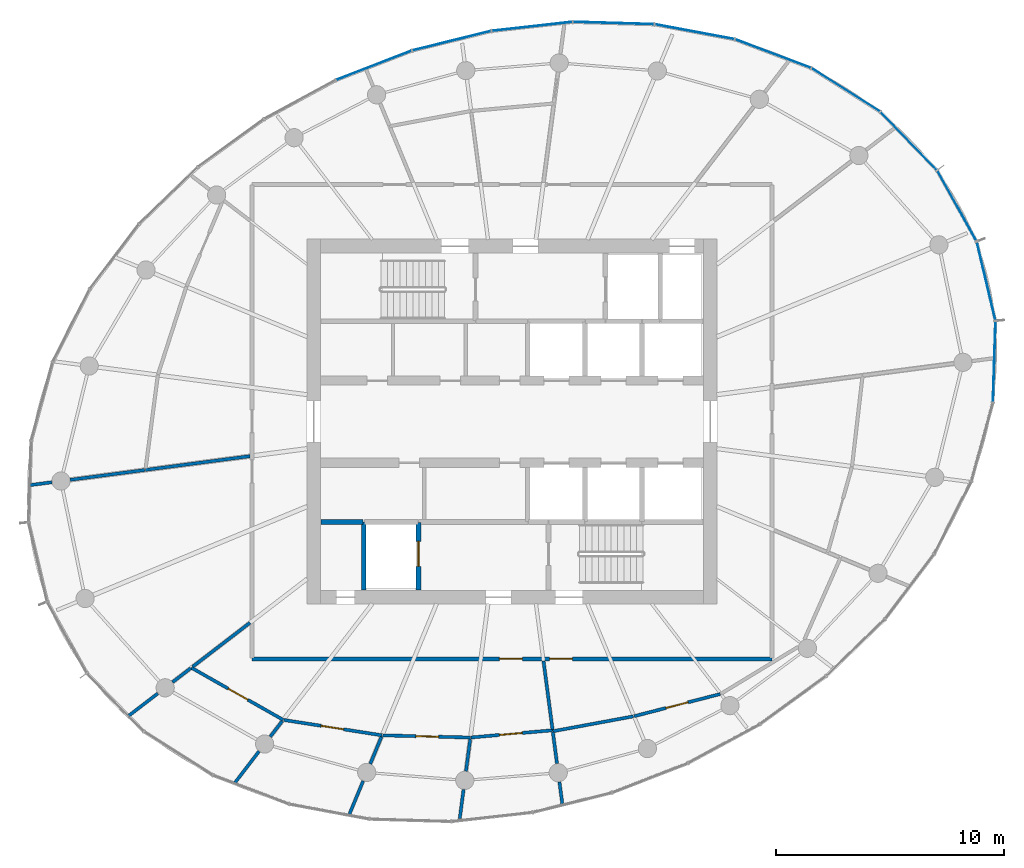
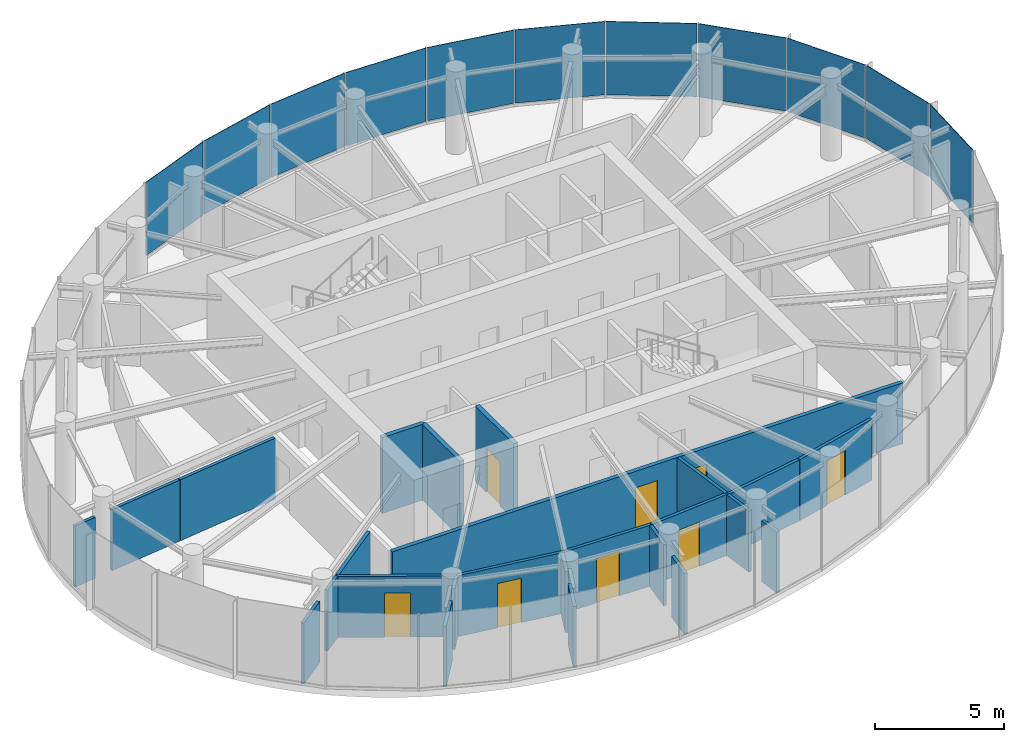
# One storey, part 8 of 13: 25 walls, 11 plates, 8 doors, 8 openings, 3 elements without a shape of their own.
"""IFC4 building model written with IfcOpenShell, lengths in metres."""

from ifc_helpers import new_model, si_unit, direction, frame, frame_2d, origin, origin_2d, place, context, subcontext, project, spatial, rectangle, extrude, source, transform, mapped, material, layer, layer_set, type_object, element, fill, aggregate, save


model = new_model("IFC4")

# Units and contexts
model_context = context("Model", 3, precision=1e-05, world=origin(), true_north=direction((0.0, 1.0)))
body_context = subcontext(model_context, "Body", "Model", "MODEL_VIEW")
ifc_project = project(units=[si_unit("LENGTHUNIT", "METRE"), si_unit("AREAUNIT", "SQUARE_METRE"), si_unit("VOLUMEUNIT", "CUBIC_METRE"), si_unit("PLANEANGLEUNIT", "RADIAN"), si_unit("MASSUNIT", "GRAM", prefix="KILO")], contexts=[model_context])

# Site, building, storey
site_placement = place(None, origin())
site = spatial("IfcSite", under=ifc_project, at=site_placement, CompositionType="ELEMENT")
building_placement = place(site_placement, origin())
building = spatial("IfcBuilding", under=site, at=building_placement, Name="Spindrift Exchange Tower", CompositionType="ELEMENT")
storey_placement = place(building_placement, frame((0.0, 0.0, 242.300048828125)))
storey = spatial("IfcBuildingStorey", under=building, at=storey_placement, Name="L59", CompositionType="ELEMENT", Elevation=242.300048828125)

# Curtain wall, plate
ifc_material_1 = material(Name="Fritted laminated glass with bronze frame", Category="glass")
ifc_layer_1 = layer(ifc_material_1, 0.159912109375)
ifc_layer_set_1 = layer_set([ifc_layer_1], Name="ZONE 5 BRONZE FRITTED WALL")
curtain_wall_type = type_object("IfcCurtainWallType", Name="ZONE 5 BRONZE FRITTED WALL", PredefinedType="NOTDEFINED", material=ifc_layer_set_1)
curtain_wall_1_placement = place(storey_placement, origin())
curtain_wall_1 = element("IfcCurtainWall", 1, at=curtain_wall_1_placement, inside=storey, type_object=curtain_wall_type, Name="L59 Zone 5 Bronze Fritted Wall run 2", PredefinedType="NOTDEFINED")
ifc_material_2 = material(Name="Bronze fritted laminated glass, open frit", Category="glass")
ifc_layer_2 = layer(ifc_material_2, 0.028076171875)
ifc_layer_set_2 = layer_set([ifc_layer_2], Name="ZONE 5 BRONZE FRITTED WALL PANEL OPEN FRIT 480")
plate_type_1 = type_object("IfcPlateType", Name="ZONE 5 BRONZE FRITTED WALL PANEL OPEN FRIT 480", PredefinedType="CURTAIN_PANEL", material=ifc_layer_set_2)
shared_shape_1 = source(origin(), body_context, "Body", "SweptSolid", [
    extrude(rectangle(XDim=3.526123046875, YDim=0.028076171875, at=origin_2d()), origin(), (0.0, 0.0, 1.0), 3.4599609375),
])
plate_1_placement = place(storey_placement, frame((49.357666015625, 64.70458984375, 0.119873046875), z_axis=(0.0, 0.0, 1.0), x_axis=(-0.970738279986, -0.240139942055, 0.0)))
plate_1 = element("IfcPlate", 2, at=plate_1_placement, type_object=plate_type_1, Name="L59 panel CW-5.8", PredefinedType="CURTAIN_PANEL", context=body_context, shape_type="MappedRepresentation", body=[
    mapped(shared_shape_1, transform((0.0, 0.0, 0.0), scale=1.0)),
])

# Curtain wall, plates
curtain_wall_2_placement = place(storey_placement, origin())
curtain_wall_2 = element("IfcCurtainWall", 3, at=curtain_wall_2_placement, inside=storey, type_object=curtain_wall_type, Name="L59 Zone 5 Bronze Fritted Wall run 1", PredefinedType="NOTDEFINED")
ifc_layer_3 = layer(ifc_material_2, 0.028076171875)
ifc_layer_set_3 = layer_set([ifc_layer_3], Name="ZONE 5 BRONZE FRITTED WALL PANEL OPEN FRIT 600")
plate_type_2 = type_object("IfcPlateType", Name="ZONE 5 BRONZE FRITTED WALL PANEL OPEN FRIT 600", PredefinedType="CURTAIN_PANEL", material=ifc_layer_set_3)
shared_shape_2 = source(origin(), body_context, "Body", "SweptSolid", [
    extrude(rectangle(XDim=3.525390625, YDim=0.028076171875, at=origin_2d()), origin(), (0.0, 0.0, 1.0), 3.4599609375),
])
plate_2_placement = place(storey_placement, frame((56.4541015625, 65.47998046875, 0.119873046875), z_axis=(0.0, 0.0, 1.0), x_axis=(-0.999567849035, 0.029395836038, 0.0)))
plate_2 = element("IfcPlate", 4, at=plate_2_placement, type_object=plate_type_2, Name="L59 panel CW-5.6", PredefinedType="CURTAIN_PANEL", context=body_context, shape_type="MappedRepresentation", body=[
    mapped(shared_shape_2, transform((0.0, 0.0, 0.0), scale=1.0)),
])
shared_shape_3 = source(origin(), body_context, "Body", "SweptSolid", [
    extrude(rectangle(XDim=3.5234375, YDim=0.028076171875, at=origin_2d()), origin(), (0.0, 0.0, 1.0), 3.4599609375),
])
plate_3_placement = place(storey_placement, frame((63.44677734375, 64.138427734375, 0.119873046875), z_axis=(0.0, 0.0, 1.0), x_axis=(-0.935776142119, 0.35259468493, 0.0)))
plate_3 = element("IfcPlate", 5, at=plate_3_placement, type_object=plate_type_1, Name="L59 panel CW-5.4", PredefinedType="CURTAIN_PANEL", context=body_context, shape_type="MappedRepresentation", body=[
    mapped(shared_shape_3, transform((0.0, 0.0, 0.0), scale=1.0)),
])
ifc_layer_4 = layer(ifc_material_2, 0.028076171875)
ifc_layer_set_4 = layer_set([ifc_layer_4], Name="ZONE 5 BRONZE FRITTED WALL PANEL OPEN FRIT 360")
plate_type_3 = type_object("IfcPlateType", Name="ZONE 5 BRONZE FRITTED WALL PANEL OPEN FRIT 360", PredefinedType="CURTAIN_PANEL", material=ifc_layer_set_4)
shared_shape_4 = source(origin(), body_context, "Body", "SweptSolid", [
    extrude(rectangle(XDim=3.521484375, YDim=0.028076171875, at=origin_2d()), origin(), (0.0, 0.0, 1.0), 3.4599609375),
])
plate_4_placement = place(storey_placement, frame((66.63671875, 62.54931640625, 0.119873046875), z_axis=(0.0, 0.0, 1.0), x_axis=(-0.845097652087, 0.534611969971, 0.0)))
plate_4 = element("IfcPlate", 6, at=plate_4_placement, type_object=plate_type_3, Name="L59 panel CW-5.3", PredefinedType="CURTAIN_PANEL", context=body_context, shape_type="MappedRepresentation", body=[
    mapped(shared_shape_4, transform((0.0, 0.0, 0.0), scale=1.0)),
])

curtain_wall_3_placement = place(storey_placement, origin())
curtain_wall_3 = element("IfcCurtainWall", 7, at=curtain_wall_3_placement, inside=storey, type_object=curtain_wall_type, Name="L59 Zone 5 Bronze Fritted Wall run 6", PredefinedType="NOTDEFINED")
shared_shape_5 = source(origin(), body_context, "Body", "SweptSolid", [
    extrude(rectangle(XDim=3.519287109375, YDim=0.028076171875, at=origin_2d()), origin(), (0.0, 0.0, 1.0), 3.4599609375),
])
plate_5_placement = place(storey_placement, frame((73.148681640625, 50.627685546875, 0.119873046875), z_axis=(0.0, 0.0, 1.0), x_axis=(0.031738717372, 0.999496200003, 0.0)))
plate_5 = element("IfcPlate", 8, at=plate_5_placement, type_object=plate_type_2, Name="L59 panel CW-5.33", PredefinedType="CURTAIN_PANEL", context=body_context, shape_type="MappedRepresentation", body=[
    mapped(shared_shape_5, transform((0.0, 0.0, 0.0), scale=1.0)),
])
shared_shape_6 = source(origin(), body_context, "Body", "SweptSolid", [
    extrude(rectangle(XDim=3.517578125, YDim=0.028076171875, at=origin_2d()), origin(), (0.0, 0.0, 1.0), 3.4599609375),
])
plate_6_placement = place(storey_placement, frame((72.7939453125, 54.157470703125, 0.119873046875), z_axis=(0.0, 0.0, 1.0), x_axis=(-0.229959714774, 0.973200148778, 0.0)))
plate_6 = element("IfcPlate", 9, at=plate_6_placement, type_object=plate_type_1, Name="L59 panel CW-5.34", PredefinedType="CURTAIN_PANEL", context=body_context, shape_type="MappedRepresentation", body=[
    mapped(shared_shape_6, transform((0.0, 0.0, 0.0), scale=1.0)),
])
aggregate(curtain_wall_3, [plate_5, plate_6])

# Plate
shared_shape_7 = source(origin(), body_context, "Body", "SweptSolid", [
    extrude(rectangle(XDim=3.524658203125, YDim=0.028076171875, at=origin_2d()), origin(), (0.0, 0.0, 1.0), 3.4599609375),
])
plate_7_placement = place(storey_placement, frame((60.00830078125, 65.098876953125, 0.119873046875), z_axis=(0.0, 0.0, 1.0), x_axis=(-0.983050095199, 0.183337149342, 0.0)))
plate_7 = element("IfcPlate", 10, at=plate_7_placement, type_object=plate_type_2, Name="L59 panel CW-5.5", PredefinedType="CURTAIN_PANEL", context=body_context, shape_type="MappedRepresentation", body=[
    mapped(shared_shape_7, transform((0.0, 0.0, 0.0), scale=1.0)),
])

shared_shape_8 = source(origin(), body_context, "Body", "SweptSolid", [
    extrude(rectangle(XDim=3.5263671875, YDim=0.028076171875, at=origin_2d()), origin(), (0.0, 0.0, 1.0), 3.4599609375),
])
plate_8_placement = place(storey_placement, frame((45.94482421875, 63.626220703125, 0.119873046875), z_axis=(0.0, 0.0, 1.0), x_axis=(-0.932444930423, -0.361312125079, 0.0)))
plate_8 = element("IfcPlate", 11, at=plate_8_placement, type_object=plate_type_1, Name="L59 panel CW-5.9", PredefinedType="CURTAIN_PANEL", context=body_context, shape_type="MappedRepresentation", body=[
    mapped(shared_shape_8, transform((0.0, 0.0, 0.0), scale=1.0)),
])

shared_shape_9 = source(origin(), body_context, "Body", "SweptSolid", [
    extrude(rectangle(XDim=3.517578125, YDim=0.028076171875, at=origin_2d()), origin(), (0.0, 0.0, 1.0), 3.4599609375),
])
plate_9_placement = place(storey_placement, frame((71.513671875, 57.461669921875, 0.119873046875), z_axis=(0.0, 0.0, 1.0), x_axis=(-0.485842721639, 0.87404625154, 0.0)))
plate_9 = element("IfcPlate", 12, at=plate_9_placement, type_object=plate_type_3, Name="L59 panel CW-5.1", PredefinedType="CURTAIN_PANEL", context=body_context, shape_type="MappedRepresentation", body=[
    mapped(shared_shape_9, transform((0.0, 0.0, 0.0), scale=1.0)),
])

shared_shape_10 = source(origin(), body_context, "Body", "SweptSolid", [
    extrude(rectangle(XDim=3.519287109375, YDim=0.028076171875, at=origin_2d()), origin(), (0.0, 0.0, 1.0), 3.4599609375),
])
plate_10_placement = place(storey_placement, frame((69.397216796875, 60.30859375, 0.119873046875), z_axis=(0.0, 0.0, 1.0), x_axis=(-0.696921069697, 0.717147838742, 0.0)))
plate_10 = element("IfcPlate", 13, at=plate_10_placement, type_object=plate_type_1, Name="L59 panel CW-5.2", PredefinedType="CURTAIN_PANEL", context=body_context, shape_type="MappedRepresentation", body=[
    mapped(shared_shape_10, transform((0.0, 0.0, 0.0), scale=1.0)),
])

aggregate(curtain_wall_2, [plate_9, plate_10, plate_4, plate_3, plate_7, plate_2])

shared_shape_11 = source(origin(), body_context, "Body", "SweptSolid", [
    extrude(rectangle(XDim=3.52587890625, YDim=0.028076171875, at=origin_2d()), origin(), (0.0, 0.0, 1.0), 3.4599609375),
])
plate_11_placement = place(storey_placement, frame((52.88037109375, 65.333984375, 0.119873046875), z_axis=(0.0, 0.0, 1.0), x_axis=(-0.993837374063, -0.110847976593, 0.0)))
plate_11 = element("IfcPlate", 14, at=plate_11_placement, type_object=plate_type_2, Name="L59 panel CW-5.7", PredefinedType="CURTAIN_PANEL", context=body_context, shape_type="MappedRepresentation", body=[
    mapped(shared_shape_11, transform((0.0, 0.0, 0.0), scale=1.0)),
])

aggregate(curtain_wall_1, [plate_11, plate_1, plate_8])

# Wall, openings, doors
ifc_material_3 = material(Name="Fire-rated plasterboard partition", Category="gypsum")
ifc_layer_5 = layer(ifc_material_3, 0.179931640625)
ifc_layer_set_5 = layer_set([ifc_layer_5], Name="W-CORR-180")
wall_type_1 = type_object("IfcWallType", Name="W-CORR-180", PredefinedType="PARTITIONING", material=ifc_layer_set_5)
wall_1_placement = place(storey_placement, frame((63.39990234375, 37.60009765625, 0.0), z_axis=(0.0, 0.0, 1.0), x_axis=(-1.0, 0.0, 0.0)))
wall_1 = element("IfcWall", 15, at=wall_1_placement, inside=storey, type_object=wall_type_1, Name="L59 Partition wall 28", PredefinedType="PARTITIONING", context=body_context, shape_type="SweptSolid", body=[
    extrude(rectangle(XDim=22.7998046875, YDim=0.179931640625, at=frame_2d((11.39990234375, 0.0))), origin(), (0.0, 0.0, 1.0), 2.8798828125),
])
opening_1_placement = place(wall_1_placement, frame((10.949951171875, 0.0, 0.0)))
opening_1 = element("IfcOpeningElement", 16, at=opening_1_placement, cuts=wall_1, Name="Opening L59-D25", PredefinedType="OPENING", context=body_context, shape_type="SweptSolid", body=[
    extrude(rectangle(XDim=1.0, YDim=2.10009765625, at=frame_2d((0.5, 1.050048828125))), frame((0.0, 0.099853515625, 0.0), z_axis=(0.0, -1.0, 0.0), x_axis=(1.0, 0.0, 0.0)), (0.0, 0.0, 1.0), 0.199951171875),
])
opening_2_placement = place(wall_1_placement, frame((8.75, 0.0, 0.0)))
opening_2 = element("IfcOpeningElement", 17, at=opening_2_placement, cuts=wall_1, Name="Opening L59-D30", PredefinedType="OPENING", context=body_context, shape_type="SweptSolid", body=[
    extrude(rectangle(XDim=1.0, YDim=2.10009765625, at=frame_2d((0.5, 1.050048828125))), frame((0.0, 0.099853515625, 0.0), z_axis=(0.0, -1.0, 0.0), x_axis=(1.0, 0.0, 0.0)), (0.0, 0.0, 1.0), 0.199951171875),
])
ifc_material_4 = material(Name="Timber-core fire door", Category="wood")
door_type_1 = type_object("IfcDoorType", Name="DR-ROOM-1000", OperationType="NOTDEFINED", PredefinedType="DOOR", material=ifc_material_4)
shared_shape_12 = source(origin(), body_context, "Body", "SweptSolid", [
    extrude(rectangle(XDim=1.0, YDim=2.10009765625, at=frame_2d((0.5, 1.050048828125))), frame((0.0, 0.02490234375, 0.0), z_axis=(0.0, -1.0, 0.0), x_axis=(1.0, 0.0, 0.0)), (0.0, 0.0, 1.0), 0.050048828125),
])
door_1_placement = place(opening_1_placement, origin())
door_1 = element("IfcDoor", 18, at=door_1_placement, inside=storey, type_object=door_type_1, Name="L59 Door 25", OperationType="SINGLE_SWING_LEFT", OverallHeight=2.10009765625, OverallWidth=1.0, PredefinedType="DOOR", context=body_context, shape_type="MappedRepresentation", body=[
    mapped(shared_shape_12, transform((0.0, 0.0, 0.0), scale=1.0)),
])
fill(opening_1, door_1)
door_2_placement = place(opening_2_placement, origin())
door_2 = element("IfcDoor", 19, at=door_2_placement, inside=storey, type_object=door_type_1, Name="L59 Door 30", OperationType="SINGLE_SWING_RIGHT", OverallHeight=2.10009765625, OverallWidth=1.0, PredefinedType="DOOR", context=body_context, shape_type="MappedRepresentation", body=[
    mapped(shared_shape_12, transform((0.0, 0.0, 0.0), scale=1.0)),
])
fill(opening_2, door_2)

# Wall
ifc_layer_6 = layer(ifc_material_3, 0.139892578125)
ifc_layer_set_6 = layer_set([ifc_layer_6], Name="W-PART-140")
wall_type_2 = type_object("IfcWallType", Name="W-PART-140", PredefinedType="PARTITIONING", material=ifc_layer_set_6)
wall_2_placement = place(storey_placement, frame((40.510009765625, 46.4873046875, 0.0), z_axis=(0.0, 0.0, 1.0), x_axis=(-0.991443328118, -0.130537837928, 0.0)))
element("IfcWall", 20, at=wall_2_placement, inside=storey, type_object=wall_type_2, Name="L59 Partition wall 31", PredefinedType="PARTITIONING", context=body_context, shape_type="SweptSolid", body=[
    extrude(rectangle(XDim=4.623291015625, YDim=0.139892578125, at=frame_2d((2.3115234375, 0.0))), origin(), (0.0, 0.0, 1.0), 2.8798828125),
])

# Wall, opening, door
wall_3_placement = place(storey_placement, frame((41.9658203125, 34.92333984375, 0.0), z_axis=(0.0, 0.0, 1.0), x_axis=(-0.869515217262, 0.493906151966, 0.0)))
wall_3 = element("IfcWall", 21, at=wall_3_placement, inside=storey, type_object=wall_type_2, Name="L59 Partition wall 32", PredefinedType="PARTITIONING", context=body_context, shape_type="SweptSolid", body=[
    extrude(rectangle(XDim=4.631103515625, YDim=0.139892578125, at=frame_2d((2.3154296875, 0.0))), origin(), (0.0, 0.0, 1.0), 2.8798828125),
])
opening_3_placement = place(wall_3_placement, frame((1.78125, 0.0, 0.0)))
opening_3 = element("IfcOpeningElement", 22, at=opening_3_placement, cuts=wall_3, Name="Opening L59-D26", PredefinedType="OPENING", context=body_context, shape_type="SweptSolid", body=[
    extrude(rectangle(XDim=1.0, YDim=2.10009765625, at=frame_2d((0.5, 1.050048828125))), frame((0.0, 0.079833984375, 0.0), z_axis=(0.0, -1.0, 0.0), x_axis=(1.0, 0.0, 0.0)), (0.0, 0.0, 1.0), 0.159912109375),
])
door_3_placement = place(opening_3_placement, origin())
door_3 = element("IfcDoor", 23, at=door_3_placement, inside=storey, type_object=door_type_1, Name="L59 Door 26", OperationType="SINGLE_SWING_RIGHT", OverallHeight=2.10009765625, OverallWidth=1.0, PredefinedType="DOOR", context=body_context, shape_type="MappedRepresentation", body=[
    mapped(shared_shape_12, transform((0.0, 0.0, 0.0), scale=1.0)),
])
fill(opening_3, door_3)

wall_4_placement = place(storey_placement, frame((46.302490234375, 34.245361328125, 0.0), z_axis=(0.0, 0.0, 1.0), x_axis=(-0.987998415533, 0.15446401168, 0.0)))
wall_4 = element("IfcWall", 24, at=wall_4_placement, inside=storey, type_object=wall_type_2, Name="L59 Partition wall 34", PredefinedType="PARTITIONING", context=body_context, shape_type="SweptSolid", body=[
    extrude(rectangle(XDim=4.359130859375, YDim=0.139892578125, at=frame_2d((2.1796875, 0.0))), origin(), (0.0, 0.0, 1.0), 2.8798828125),
])
opening_4_placement = place(wall_4_placement, frame((1.70947265625, 0.0, 0.0)))
opening_4 = element("IfcOpeningElement", 25, at=opening_4_placement, cuts=wall_4, Name="Opening L59-D27", PredefinedType="OPENING", context=body_context, shape_type="SweptSolid", body=[
    extrude(rectangle(XDim=1.0, YDim=2.10009765625, at=frame_2d((0.5, 1.050048828125))), frame((0.0, 0.079833984375, 0.0), z_axis=(0.0, -1.0, 0.0), x_axis=(1.0, 0.0, 0.0)), (0.0, 0.0, 1.0), 0.159912109375),
])
door_4_placement = place(opening_4_placement, origin())
door_4 = element("IfcDoor", 26, at=door_4_placement, inside=storey, type_object=door_type_1, Name="L59 Door 27", OperationType="SINGLE_SWING_LEFT", OverallHeight=2.10009765625, OverallWidth=1.0, PredefinedType="DOOR", context=body_context, shape_type="MappedRepresentation", body=[
    mapped(shared_shape_12, transform((0.0, 0.0, 0.0), scale=1.0)),
])
fill(opening_4, door_4)

wall_5_placement = place(storey_placement, frame((61.1298828125, 36.056396484375, 0.0), z_axis=(0.0, 0.0, 1.0), x_axis=(-0.968365634835, -0.249535563137, 0.0)))
wall_5 = element("IfcWall", 27, at=wall_5_placement, inside=storey, type_object=wall_type_2, Name="L59 Partition wall 43", PredefinedType="PARTITIONING", context=body_context, shape_type="SweptSolid", body=[
    extrude(rectangle(XDim=3.90283203125, YDim=0.139892578125, at=frame_2d((1.951416015625, 0.0))), origin(), (0.0, 0.0, 1.0), 2.8798828125),
])
opening_5_placement = place(wall_5_placement, frame((1.452880859375, 0.0, 0.0)))
opening_5 = element("IfcOpeningElement", 28, at=opening_5_placement, cuts=wall_5, Name="Opening L59-D31", PredefinedType="OPENING", context=body_context, shape_type="SweptSolid", body=[
    extrude(rectangle(XDim=1.0, YDim=2.10009765625, at=frame_2d((0.5, 1.050048828125))), frame((0.0, 0.079833984375, 0.0), z_axis=(0.0, -1.0, 0.0), x_axis=(1.0, 0.0, 0.0)), (0.0, 0.0, 1.0), 0.159912109375),
])
door_5_placement = place(opening_5_placement, origin())
door_5 = element("IfcDoor", 29, at=door_5_placement, inside=storey, type_object=door_type_1, Name="L59 Door 31", OperationType="SINGLE_SWING_LEFT", OverallHeight=2.10009765625, OverallWidth=1.0, PredefinedType="DOOR", context=body_context, shape_type="MappedRepresentation", body=[
    mapped(shared_shape_12, transform((0.0, 0.0, 0.0), scale=1.0)),
])
fill(opening_5, door_5)

wall_6_placement = place(storey_placement, frame((50.176513671875, 34.148193359375, 0.0), z_axis=(0.0, 0.0, 1.0), x_axis=(-0.999687051256, 0.025015985913, 0.0)))
wall_6 = element("IfcWall", 30, at=wall_6_placement, inside=storey, type_object=wall_type_2, Name="L59 Partition wall 46", PredefinedType="PARTITIONING", context=body_context, shape_type="SweptSolid", body=[
    extrude(rectangle(XDim=3.84521484375, YDim=0.139892578125, at=frame_2d((1.922607421875, 0.0))), origin(), (0.0, 0.0, 1.0), 2.8798828125),
])
opening_6_placement = place(wall_6_placement, frame((1.39501953125, 0.0, 0.0)))
opening_6 = element("IfcOpeningElement", 31, at=opening_6_placement, cuts=wall_6, Name="Opening L59-D28", PredefinedType="OPENING", context=body_context, shape_type="SweptSolid", body=[
    extrude(rectangle(XDim=1.0, YDim=2.10009765625, at=frame_2d((0.5, 1.050048828125))), frame((0.0, 0.079833984375, 0.0), z_axis=(0.0, -1.0, 0.0), x_axis=(1.0, 0.0, 0.0)), (0.0, 0.0, 1.0), 0.159912109375),
])
door_6_placement = place(opening_6_placement, origin())
door_6 = element("IfcDoor", 32, at=door_6_placement, inside=storey, type_object=door_type_1, Name="L59 Door 28", OperationType="SINGLE_SWING_RIGHT", OverallHeight=2.10009765625, OverallWidth=1.0, PredefinedType="DOOR", context=body_context, shape_type="MappedRepresentation", body=[
    mapped(shared_shape_12, transform((0.0, 0.0, 0.0), scale=1.0)),
])
fill(opening_6, door_6)

# Wall
wall_7_placement = place(storey_placement, frame((53.78759765625, 34.422607421875, 0.0), z_axis=(0.0, 0.0, 1.0), x_axis=(0.983272092094, 0.182142781656, 0.0)))
element("IfcWall", 33, at=wall_7_placement, inside=storey, type_object=wall_type_2, Name="L59 Partition wall 49", PredefinedType="PARTITIONING", context=body_context, shape_type="SweptSolid", body=[
    extrude(rectangle(XDim=3.593505859375, YDim=0.139892578125, at=frame_2d((1.796875, 0.0))), origin(), (0.0, 0.0, 1.0), 2.8798828125),
])

# Wall, opening, door
wall_8_placement = place(storey_placement, frame((53.779296875, 34.467529296875, 0.0), z_axis=(0.0, 0.0, 1.0), x_axis=(-0.99609594944, -0.088277174337, 0.0)))
wall_8 = element("IfcWall", 34, at=wall_8_placement, inside=storey, type_object=wall_type_2, Name="L59 Partition wall 50", PredefinedType="PARTITIONING", context=body_context, shape_type="SweptSolid", body=[
    extrude(rectangle(XDim=3.5869140625, YDim=0.139892578125, at=frame_2d((1.79345703125, 0.0))), origin(), (0.0, 0.0, 1.0), 2.8798828125),
])
opening_7_placement = place(wall_8_placement, frame((1.3369140625, 0.0, 0.0)))
opening_7 = element("IfcOpeningElement", 35, at=opening_7_placement, cuts=wall_8, Name="Opening L59-D29", PredefinedType="OPENING", context=body_context, shape_type="SweptSolid", body=[
    extrude(rectangle(XDim=1.0, YDim=2.10009765625, at=frame_2d((0.5, 1.050048828125))), frame((0.0, 0.079833984375, 0.0), z_axis=(0.0, -1.0, 0.0), x_axis=(1.0, 0.0, 0.0)), (0.0, 0.0, 1.0), 0.159912109375),
])
door_7_placement = place(opening_7_placement, origin())
door_7 = element("IfcDoor", 36, at=door_7_placement, inside=storey, type_object=door_type_1, Name="L59 Door 29", OperationType="SINGLE_SWING_LEFT", OverallHeight=2.10009765625, OverallWidth=1.0, PredefinedType="DOOR", context=body_context, shape_type="MappedRepresentation", body=[
    mapped(shared_shape_12, transform((0.0, 0.0, 0.0), scale=1.0)),
])
fill(opening_7, door_7)

# Walls
wall_9_placement = place(storey_placement, frame((40.510009765625, 39.183349609375, 0.0), z_axis=(0.0, 0.0, 1.0), x_axis=(-0.793360447036, -0.608752167207, 0.0)))
element("IfcWall", 37, at=wall_9_placement, inside=storey, type_object=wall_type_2, Name="L59 Partition wall 52", PredefinedType="PARTITIONING", context=body_context, shape_type="SweptSolid", body=[
    extrude(rectangle(XDim=3.164794921875, YDim=0.139892578125, at=frame_2d((1.58251953125, 0.0))), origin(), (0.0, 0.0, 1.0), 2.8798828125),
])
wall_10_placement = place(storey_placement, frame((35.896484375, 45.8798828125, 0.0), z_axis=(0.0, 0.0, 1.0), x_axis=(-0.991452533268, -0.130467905161, 0.0)))
element("IfcWall", 38, at=wall_10_placement, inside=storey, type_object=wall_type_2, Name="L59 Partition wall 53", PredefinedType="PARTITIONING", context=body_context, shape_type="SweptSolid", body=[
    extrude(rectangle(XDim=3.301025390625, YDim=0.139892578125, at=frame_2d((1.650390625, 0.0))), origin(), (0.0, 0.0, 1.0), 2.8798828125),
])
wall_11_placement = place(storey_placement, frame((53.381103515625, 37.510009765625, 0.0), z_axis=(0.0, 0.0, 1.0), x_axis=(0.130489847189, -0.99144964561, 0.0)))
element("IfcWall", 39, at=wall_11_placement, inside=storey, type_object=wall_type_2, Name="L59 Partition wall 54", PredefinedType="PARTITIONING", context=body_context, shape_type="SweptSolid", body=[
    extrude(rectangle(XDim=3.038330078125, YDim=0.139892578125, at=frame_2d((1.51904296875, 0.0))), origin(), (0.0, 0.0, 1.0), 2.8798828125),
])
wall_12_placement = place(storey_placement, frame((40.90673828125, 33.543212890625, 0.0), z_axis=(0.0, 0.0, 1.0), x_axis=(-0.608647541693, -0.793440716116, 0.0)))
element("IfcWall", 40, at=wall_12_placement, inside=storey, type_object=wall_type_2, Name="L59 Partition wall 60", PredefinedType="PARTITIONING", context=body_context, shape_type="SweptSolid", body=[
    extrude(rectangle(XDim=1.73193359375, YDim=0.139892578125, at=frame_2d((0.865966796875, 0.0))), origin(), (0.0, 0.0, 1.0), 2.8798828125),
])
wall_13_placement = place(storey_placement, frame((36.469482421875, 36.0830078125, 0.0), z_axis=(0.0, 0.0, 1.0), x_axis=(-0.793355628453, -0.608758447006, 0.0)))
element("IfcWall", 41, at=wall_13_placement, inside=storey, type_object=wall_type_2, Name="L59 Partition wall 62", PredefinedType="PARTITIONING", context=body_context, shape_type="SweptSolid", body=[
    extrude(rectangle(XDim=1.598876953125, YDim=0.139892578125, at=frame_2d((0.79931640625, 0.0))), origin(), (0.0, 0.0, 1.0), 2.8798828125),
])
wall_14_placement = place(storey_placement, frame((45.473388671875, 32.2431640625, 0.0), z_axis=(0.0, 0.0, 1.0), x_axis=(-0.382736533707, -0.923857535427, 0.0)))
element("IfcWall", 42, at=wall_14_placement, inside=storey, type_object=wall_type_2, Name="L59 Partition wall 64", PredefinedType="PARTITIONING", context=body_context, shape_type="SweptSolid", body=[
    extrude(rectangle(XDim=1.569091796875, YDim=0.139892578125, at=frame_2d((0.78466796875, 0.0))), origin(), (0.0, 0.0, 1.0), 2.8798828125),
])
wall_15_placement = place(storey_placement, frame((50.167236328125, 34.078369140625, 0.0), z_axis=(0.0, 0.0, 1.0), x_axis=(-0.130610105032, -0.99143381043, 0.0)))
element("IfcWall", 43, at=wall_15_placement, inside=storey, type_object=wall_type_2, Name="L59 Partition wall 66", PredefinedType="PARTITIONING", context=body_context, shape_type="SweptSolid", body=[
    extrude(rectangle(XDim=1.420654296875, YDim=0.139892578125, at=frame_2d((0.71044921875, 0.0))), origin(), (0.0, 0.0, 1.0), 2.8798828125),
])
wall_16_placement = place(storey_placement, frame((53.79150390625, 34.392822265625, 0.0), z_axis=(0.0, 0.0, 1.0), x_axis=(0.130450001243, -0.991454889128, 0.0)))
element("IfcWall", 44, at=wall_16_placement, inside=storey, type_object=wall_type_2, Name="L59 Partition wall 67", PredefinedType="PARTITIONING", context=body_context, shape_type="SweptSolid", body=[
    extrude(rectangle(XDim=1.39990234375, YDim=0.139892578125, at=frame_2d((0.699951171875, 0.0))), origin(), (0.0, 0.0, 1.0), 2.8798828125),
])
wall_17_placement = place(storey_placement, frame((46.27490234375, 34.1787109375, 0.0), z_axis=(0.0, 0.0, 1.0), x_axis=(-0.382698623129, -0.923873240145, 0.0)))
element("IfcWall", 45, at=wall_17_placement, inside=storey, type_object=wall_type_2, Name="L59 Partition wall 70", PredefinedType="PARTITIONING", context=body_context, shape_type="SweptSolid", body=[
    extrude(rectangle(XDim=1.284912109375, YDim=0.139892578125, at=frame_2d((0.642578125, 0.0))), origin(), (0.0, 0.0, 1.0), 2.8798828125),
])
wall_18_placement = place(storey_placement, frame((49.876220703125, 31.86767578125, 0.0), z_axis=(0.0, 0.0, 1.0), x_axis=(-0.130617047537, -0.991432895809, 0.0)))
element("IfcWall", 46, at=wall_18_placement, inside=storey, type_object=wall_type_2, Name="L59 Partition wall 72", PredefinedType="PARTITIONING", context=body_context, shape_type="SweptSolid", body=[
    extrude(rectangle(XDim=1.2822265625, YDim=0.139892578125, at=frame_2d((0.64111328125, 0.0))), origin(), (0.0, 0.0, 1.0), 2.8798828125),
])
wall_19_placement = place(storey_placement, frame((37.915283203125, 37.1923828125, 0.0), z_axis=(0.0, 0.0, 1.0), x_axis=(-0.793358047676, -0.608755294177, 0.0)))
element("IfcWall", 47, at=wall_19_placement, inside=storey, type_object=wall_type_2, Name="L59 Partition wall 75", PredefinedType="PARTITIONING", context=body_context, shape_type="SweptSolid", body=[
    extrude(rectangle(XDim=1.012939453125, YDim=0.139892578125, at=frame_2d((0.50634765625, 0.0))), origin(), (0.0, 0.0, 1.0), 2.8798828125),
])
wall_20_placement = place(storey_placement, frame((31.821533203125, 45.343505859375, 0.0), z_axis=(0.0, 0.0, 1.0), x_axis=(-0.991428116695, -0.130653317704, 0.0)))
element("IfcWall", 48, at=wall_20_placement, inside=storey, type_object=wall_type_2, Name="L59 Partition wall 77", PredefinedType="PARTITIONING", context=body_context, shape_type="SweptSolid", body=[
    extrude(rectangle(XDim=0.98486328125, YDim=0.139892578125, at=frame_2d((0.492431640625, 0.0))), origin(), (0.0, 0.0, 1.0), 2.8798828125),
])
wall_21_placement = place(storey_placement, frame((54.07958984375, 32.202880859375, 0.0), z_axis=(0.0, 0.0, 1.0), x_axis=(0.130657168986, -0.991427609154, 0.0)))
element("IfcWall", 49, at=wall_21_placement, inside=storey, type_object=wall_type_2, Name="L59 Partition wall 79", PredefinedType="PARTITIONING", context=body_context, shape_type="SweptSolid", body=[
    extrude(rectangle(XDim=0.966064453125, YDim=0.139892578125, at=frame_2d((0.48291015625, 0.0))), origin(), (0.0, 0.0, 1.0), 2.8798828125),
])
wall_22_placement = place(storey_placement, frame((41.9228515625, 34.8671875, 0.0), z_axis=(0.0, 0.0, 1.0), x_axis=(-0.608777226721, -0.793341218031, 0.0)))
element("IfcWall", 50, at=wall_22_placement, inside=storey, type_object=wall_type_2, Name="L59 Partition wall 80", PredefinedType="PARTITIONING", context=body_context, shape_type="SweptSolid", body=[
    extrude(rectangle(XDim=0.85986328125, YDim=0.139892578125, at=frame_2d((0.429931640625, 0.0))), origin(), (0.0, 0.0, 1.0), 2.8798828125),
])
ifc_material_5 = material(Name="Concrete 40 MPa", Category="concrete")
ifc_layer_7 = layer(ifc_material_5, 0.199951171875)
ifc_layer_set_7 = layer_set([ifc_layer_7], Name="W-SHAFT-200")
wall_type_3 = type_object("IfcWallType", Name="W-SHAFT-200", PredefinedType="SOLIDWALL", material=ifc_layer_set_7)
wall_23_placement = place(storey_placement, frame((45.5, 43.60009765625, 0.0), z_axis=(0.0, 0.0, 1.0), x_axis=(0.0, -1.0, 0.0)))
element("IfcWall", 51, at=wall_23_placement, inside=storey, type_object=wall_type_3, Name="L59 Shaft wall 3", PredefinedType="SOLIDWALL", context=body_context, shape_type="SweptSolid", body=[
    extrude(rectangle(XDim=2.97998046875, YDim=0.199951171875, at=frame_2d((1.489990234375, 0.0))), origin(), (0.0, 0.0, 1.0), 3.579833984375),
])

# Wall, opening, door
wall_24_placement = place(storey_placement, frame((47.89990234375, 40.6201171875, 0.0), z_axis=(0.0, 0.0, 1.0), x_axis=(0.0, 1.0, 0.0)))
wall_24 = element("IfcWall", 52, at=wall_24_placement, inside=storey, type_object=wall_type_3, Name="L59 Shaft wall 4", PredefinedType="SOLIDWALL", context=body_context, shape_type="SweptSolid", body=[
    extrude(rectangle(XDim=2.949951171875, YDim=0.199951171875, at=frame_2d((1.47509765625, 0.0))), origin(), (0.0, 0.0, 1.0), 3.579833984375),
])
opening_8_placement = place(wall_24_placement, frame((1.030029296875, 0.0, 0.0)))
opening_8 = element("IfcOpeningElement", 53, at=opening_8_placement, cuts=wall_24, Name="Opening L59-D10", PredefinedType="OPENING", context=body_context, shape_type="SweptSolid", body=[
    extrude(rectangle(XDim=1.10009765625, YDim=2.10009765625, at=frame_2d((0.550048828125, 1.050048828125))), frame((0.0, 0.10986328125, 0.0), z_axis=(0.0, -1.0, 0.0), x_axis=(1.0, 0.0, 0.0)), (0.0, 0.0, 1.0), 0.219970703125),
])
ifc_material_6 = material(Name="Stainless steel landing door", Category="steel")
door_type_2 = type_object("IfcDoorType", Name="DR-LANDING-1100-SL", OperationType="DOUBLE_DOOR_SLIDING", PredefinedType="USERDEFINED", material=ifc_material_6)
shared_shape_13 = source(origin(), body_context, "Body", "SweptSolid", [
    extrude(rectangle(XDim=1.10009765625, YDim=2.10009765625, at=frame_2d((0.550048828125, 1.050048828125))), frame((0.0, 0.02490234375, 0.0), z_axis=(0.0, -1.0, 0.0), x_axis=(1.0, 0.0, 0.0)), (0.0, 0.0, 1.0), 0.050048828125),
])
door_8_placement = place(opening_8_placement, origin())
door_8 = element("IfcDoor", 54, at=door_8_placement, inside=storey, type_object=door_type_2, Name="L59 Lift landing door 10", ObjectType="LANDING DOOR", OperationType="DOUBLE_DOOR_SLIDING", OverallHeight=2.10009765625, OverallWidth=1.10009765625, PredefinedType="USERDEFINED", context=body_context, shape_type="MappedRepresentation", body=[
    mapped(shared_shape_13, transform((0.0, 0.0, 0.0), scale=1.0)),
])
fill(opening_8, door_8)

# Wall
wall_25_placement = place(storey_placement, frame((45.469970703125, 43.60009765625, 0.0), z_axis=(0.0, 0.0, 1.0), x_axis=(-1.0, 0.0, 0.0)))
element("IfcWall", 55, at=wall_25_placement, inside=storey, type_object=wall_type_3, Name="L59 Shaft wall 20", PredefinedType="SOLIDWALL", context=body_context, shape_type="SweptSolid", body=[
    extrude(rectangle(XDim=1.849853515625, YDim=0.199951171875, at=frame_2d((0.9248046875, 0.0))), origin(), (0.0, 0.0, 1.0), 3.579833984375),
])

save(model, "model.ifc")
